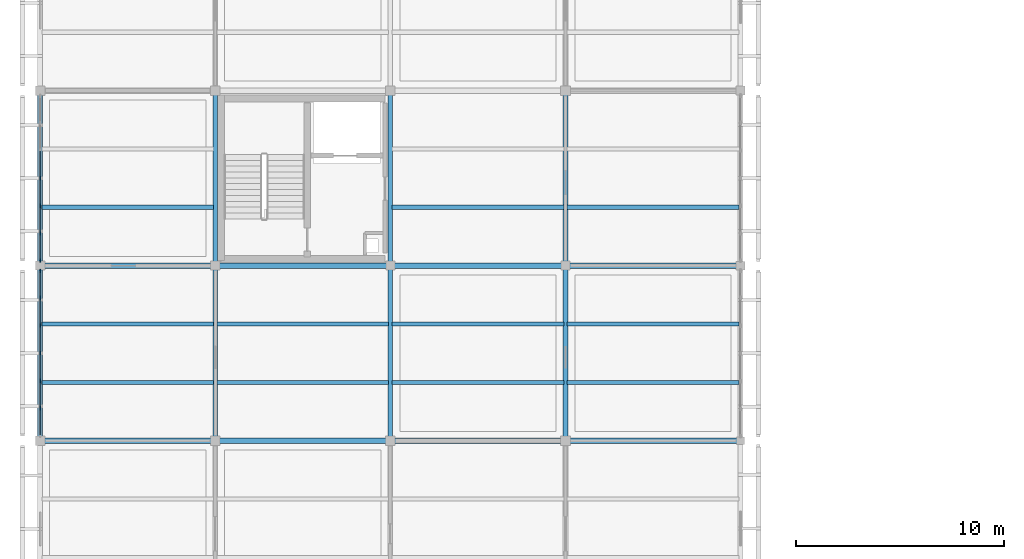
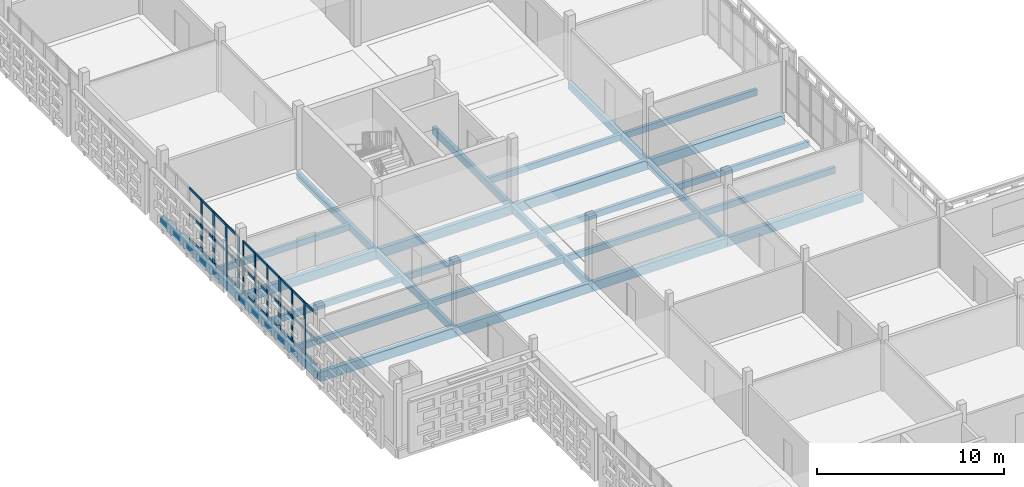
# One storey, part 20 of 140: 40 members, 27 beams, 2 elements without a shape of their own.
"""IFC4 building model written with IfcOpenShell, lengths in metres."""

from ifc_helpers import new_model, si_unit, direction, frame, origin, origin_2d, place, context, subcontext, project, spatial, rectangle, extrude, material, layer, layer_set, material_profile, profile_set, type_object, element, aggregate, save


model = new_model("IFC4")

# Units and contexts
model_context = context("Model", 3, precision=1e-05, world=origin(), true_north=direction((0.0, 1.0)))
body_context = subcontext(model_context, "Body", "Model", "MODEL_VIEW")
ifc_project = project(units=[si_unit("LENGTHUNIT", "METRE"), si_unit("AREAUNIT", "SQUARE_METRE"), si_unit("VOLUMEUNIT", "CUBIC_METRE"), si_unit("PLANEANGLEUNIT", "RADIAN"), si_unit("MASSUNIT", "GRAM", prefix="KILO")], contexts=[model_context])

# Site, building, storey
site_placement = place(None, origin())
site = spatial("IfcSite", under=ifc_project, at=site_placement, CompositionType="ELEMENT")
building_placement = place(site_placement, origin())
building = spatial("IfcBuilding", under=site, at=building_placement, Name="Varnapada Polytechnic", CompositionType="ELEMENT")
storey_placement = place(building_placement, frame((0.0, 0.0, 13.800048828125)))
storey = spatial("IfcBuildingStorey", under=building, at=storey_placement, Name="L03", CompositionType="ELEMENT", Elevation=13.800048828125)

# Beams
ifc_material_1 = material(Name="Glulam GL32h", Category="wood")
ifc_material_profile_1 = material_profile(ifc_material_1, rectangle(XDim=0.199951171875, YDim=0.39990234375, at=origin_2d()), Name="GL 200x400")
ifc_profile_set_1 = profile_set([ifc_material_profile_1], Name="Glulam GL32h")
beam_type_1 = type_object("IfcBeamType", Name="Library/laboratory glulam floor joist GJ-01 (GL 200x400)", PredefinedType="JOIST", material=ifc_profile_set_1)
for number, where, z_axis, x_axis, name in (
    (1, (0.080078125, 53.199951171875, -0.43994140625), (1.0, 0.0, 0.0), (0.0, 1.0, 0.0), "L03 floor joist 1/7.1"),
    (2, (0.080078125, 56.0, -0.43994140625), (1.0, 0.0, 0.0), (0.0, 1.0, 0.0), "L03 floor joist 1/7.2"),
    (3, (0.080078125, 61.60009765625, -0.43994140625), (1.0, 0.0, 0.0), (0.0, 1.0, 0.0), "L03 floor joist 1/8.1"),
    (4, (8.47998046875, 53.199951171875, -0.43994140625), (1.0, 0.0, 0.0), (0.0, 1.0, 0.0), "L03 floor joist 2/7.1"),
    (5, (8.47998046875, 56.0, -0.43994140625), (1.0, 0.0, 0.0), (0.0, 1.0, 0.0), "L03 floor joist 2/7.2"),
):
    element("IfcBeam", number, at=place(storey_placement, frame(where, z_axis=z_axis, x_axis=x_axis)), inside=storey, type_object=beam_type_1, Name=name, PredefinedType="JOIST", context=body_context, shape_type="SweptSolid", body=[
        extrude(rectangle(XDim=0.199951171875, YDim=0.39990234375, at=origin_2d()), origin(), (0.0, 0.0, 1.0), 8.239990234375),
    ])
for number, where, z_axis, x_axis, name in (
    (6, (16.8798828125, 53.199951171875, -0.43994140625), (1.0, 0.0, 0.0), (0.0, 1.0, 0.0), "L03 floor joist 3/7.1"),
    (7, (16.8798828125, 56.0, -0.43994140625), (1.0, 0.0, 0.0), (0.0, 1.0, 0.0), "L03 floor joist 3/7.2"),
    (8, (16.8798828125, 61.60009765625, -0.43994140625), (1.0, 0.0, 0.0), (0.0, 1.0, 0.0), "L03 floor joist 3/8.1"),
):
    element("IfcBeam", number, at=place(storey_placement, frame(where, z_axis=z_axis, x_axis=x_axis)), inside=storey, type_object=beam_type_1, Name=name, PredefinedType="JOIST", context=body_context, shape_type="SweptSolid", body=[
        extrude(rectangle(XDim=0.199951171875, YDim=0.39990234375, at=origin_2d()), origin(), (0.0, 0.0, 1.0), 8.240234375),
    ])
for number, where, z_axis, x_axis, name in (
    (9, (25.280029296875, 53.199951171875, -0.43994140625), (1.0, 0.0, 0.0), (0.0, 1.0, 0.0), "L03 floor joist 4/7.1"),
    (10, (25.280029296875, 56.0, -0.43994140625), (1.0, 0.0, 0.0), (0.0, 1.0, 0.0), "L03 floor joist 4/7.2"),
    (11, (25.280029296875, 61.60009765625, -0.43994140625), (1.0, 0.0, 0.0), (0.0, 1.0, 0.0), "L03 floor joist 4/8.1"),
):
    element("IfcBeam", number, at=place(storey_placement, frame(where, z_axis=z_axis, x_axis=x_axis)), inside=storey, type_object=beam_type_1, Name=name, PredefinedType="JOIST", context=body_context, shape_type="SweptSolid", body=[
        extrude(rectangle(XDim=0.199951171875, YDim=0.39990234375, at=origin_2d()), origin(), (0.0, 0.0, 1.0), 8.239990234375),
    ])

# Curtain wall, members
ifc_material_2 = material(Name="Double low-E laminated glass", Category="glass")
ifc_layer = layer(ifc_material_2, 0.179931640625)
ifc_layer_set = layer_set([ifc_layer], Name="Double low-E laminated glass")
curtain_wall_type = type_object("IfcCurtainWallType", Name="Curtain Wall CW-03", PredefinedType="NOTDEFINED", material=ifc_layer_set)
curtain_wall_1_placement = place(storey_placement, origin())
curtain_wall_1 = element("IfcCurtainWall", 12, at=curtain_wall_1_placement, inside=storey, type_object=curtain_wall_type, Name="L03 unitised curtain wall CW-03 (205)", PredefinedType="NOTDEFINED")
ifc_material_3 = material(Name="Anodised aluminium", Category="aluminium")
ifc_material_profile_2 = material_profile(ifc_material_3, rectangle(XDim=0.06494140625, YDim=0.179931640625, at=origin_2d()), Name="ALU M65x180")
ifc_profile_set_2 = profile_set([ifc_material_profile_2], Name="Anodised aluminium")
member_type_1 = type_object("IfcMemberType", Name="Mullion M-02", PredefinedType="MULLION", material=ifc_profile_set_2)
member_1_placement = place(storey_placement, frame((0.0, 51.955078125, 0.0), z_axis=(0.0, 0.0, 1.0), x_axis=(-1.0, 0.0, 0.0)))
member_1 = element("IfcMember", 13, at=member_1_placement, type_object=member_type_1, Name="CW-03 mullion 2", PredefinedType="MULLION", context=body_context, shape_type="SweptSolid", body=[
    extrude(rectangle(XDim=0.06494140625, YDim=0.179931640625, at=origin_2d()), origin(), (0.0, 0.0, 1.0), 3.35986328125),
])
member_2_placement = place(storey_placement, frame((0.0, 53.280029296875, 0.0), z_axis=(0.0, 0.0, 1.0), x_axis=(-1.0, 0.0, 0.0)))
member_2 = element("IfcMember", 14, at=member_2_placement, type_object=member_type_1, Name="CW-03 mullion 3", PredefinedType="MULLION", context=body_context, shape_type="SweptSolid", body=[
    extrude(rectangle(XDim=0.06494140625, YDim=0.179931640625, at=origin_2d()), origin(), (0.0, 0.0, 1.0), 3.35986328125),
])
member_3_placement = place(storey_placement, frame((0.0, 54.60498046875, 0.0), z_axis=(0.0, 0.0, 1.0), x_axis=(-1.0, 0.0, 0.0)))
member_3 = element("IfcMember", 15, at=member_3_placement, type_object=member_type_1, Name="CW-03 mullion 4", PredefinedType="MULLION", context=body_context, shape_type="SweptSolid", body=[
    extrude(rectangle(XDim=0.06494140625, YDim=0.179931640625, at=origin_2d()), origin(), (0.0, 0.0, 1.0), 3.35986328125),
])
member_4_placement = place(storey_placement, frame((0.0, 55.929931640625, 0.0), z_axis=(0.0, 0.0, 1.0), x_axis=(-1.0, 0.0, 0.0)))
member_4 = element("IfcMember", 16, at=member_4_placement, type_object=member_type_1, Name="CW-03 mullion 5", PredefinedType="MULLION", context=body_context, shape_type="SweptSolid", body=[
    extrude(rectangle(XDim=0.06494140625, YDim=0.179931640625, at=origin_2d()), origin(), (0.0, 0.0, 1.0), 3.35986328125),
])
member_5_placement = place(storey_placement, frame((0.0, 57.2548828125, 0.0), z_axis=(0.0, 0.0, 1.0), x_axis=(-1.0, 0.0, 0.0)))
member_5 = element("IfcMember", 17, at=member_5_placement, type_object=member_type_1, Name="CW-03 mullion 6", PredefinedType="MULLION", context=body_context, shape_type="SweptSolid", body=[
    extrude(rectangle(XDim=0.06494140625, YDim=0.179931640625, at=origin_2d()), origin(), (0.0, 0.0, 1.0), 3.35986328125),
])
member_6_placement = place(storey_placement, frame((0.0, 58.547607421875, 0.0), z_axis=(0.0, 0.0, 1.0), x_axis=(-1.0, 0.0, 0.0)))
member_6 = element("IfcMember", 18, at=member_6_placement, type_object=member_type_1, Name="CW-03 mullion 7", PredefinedType="MULLION", context=body_context, shape_type="SweptSolid", body=[
    extrude(rectangle(XDim=0.06494140625, YDim=0.179931640625, at=origin_2d()), origin(), (0.0, 0.0, 1.0), 3.35986328125),
])

curtain_wall_2_placement = place(storey_placement, origin())
curtain_wall_2 = element("IfcCurtainWall", 19, at=curtain_wall_2_placement, inside=storey, type_object=curtain_wall_type, Name="L03 unitised curtain wall CW-03 (206)", PredefinedType="NOTDEFINED")
member_7_placement = place(storey_placement, frame((0.0, 59.052490234375, 0.0), z_axis=(0.0, 0.0, 1.0), x_axis=(-1.0, 0.0, 0.0)))
member_7 = element("IfcMember", 20, at=member_7_placement, type_object=member_type_1, Name="CW-03 mullion 1", PredefinedType="MULLION", context=body_context, shape_type="SweptSolid", body=[
    extrude(rectangle(XDim=0.06494140625, YDim=0.179931640625, at=origin_2d()), origin(), (0.0, 0.0, 1.0), 3.35986328125),
])
member_8_placement = place(storey_placement, frame((0.0, 60.344970703125, 0.0), z_axis=(0.0, 0.0, 1.0), x_axis=(-1.0, 0.0, 0.0)))
member_8 = element("IfcMember", 21, at=member_8_placement, type_object=member_type_1, Name="CW-03 mullion 2", PredefinedType="MULLION", context=body_context, shape_type="SweptSolid", body=[
    extrude(rectangle(XDim=0.06494140625, YDim=0.179931640625, at=origin_2d()), origin(), (0.0, 0.0, 1.0), 3.35986328125),
])
member_9_placement = place(storey_placement, frame((0.0, 61.669921875, 0.0), z_axis=(0.0, 0.0, 1.0), x_axis=(-1.0, 0.0, 0.0)))
member_9 = element("IfcMember", 22, at=member_9_placement, type_object=member_type_1, Name="CW-03 mullion 3", PredefinedType="MULLION", context=body_context, shape_type="SweptSolid", body=[
    extrude(rectangle(XDim=0.06494140625, YDim=0.179931640625, at=origin_2d()), origin(), (0.0, 0.0, 1.0), 3.35986328125),
])
member_10_placement = place(storey_placement, frame((0.0, 62.9951171875, 0.0), z_axis=(0.0, 0.0, 1.0), x_axis=(-1.0, 0.0, 0.0)))
member_10 = element("IfcMember", 23, at=member_10_placement, type_object=member_type_1, Name="CW-03 mullion 4", PredefinedType="MULLION", context=body_context, shape_type="SweptSolid", body=[
    extrude(rectangle(XDim=0.06494140625, YDim=0.179931640625, at=origin_2d()), origin(), (0.0, 0.0, 1.0), 3.35986328125),
])

# Beams
ifc_material_profile_3 = material_profile(ifc_material_1, rectangle(XDim=0.239990234375, YDim=0.56005859375, at=origin_2d()), Name="GL 240x560")
ifc_profile_set_3 = profile_set([ifc_material_profile_3], Name="Glulam GL32h")
beam_type_2 = type_object("IfcBeamType", Name="Perimeter glulam spandrel beam SP-02 (GL 240x560)", PredefinedType="SPANDREL", material=ifc_profile_set_3)
beam_1_placement = place(storey_placement, frame((0.0, 50.39990234375, -0.52001953125), z_axis=(0.0, 1.0, 0.0), x_axis=(-1.0, 0.0, 0.0)))
element("IfcBeam", 24, at=beam_1_placement, inside=storey, type_object=beam_type_2, Name="L03 beam Y 7-8 at X1", PredefinedType="SPANDREL", context=body_context, shape_type="SweptSolid", body=[
    extrude(rectangle(XDim=0.239990234375, YDim=0.56005859375, at=origin_2d()), origin(), (0.0, 0.0, 1.0), 8.400146484375),
])
beam_2_placement = place(storey_placement, frame((0.0, 58.800048828125, -0.52001953125), z_axis=(0.0, 1.0, 0.0), x_axis=(-1.0, 0.0, 0.0)))
element("IfcBeam", 25, at=beam_2_placement, inside=storey, type_object=beam_type_2, Name="L03 beam Y 8-9 at X1", PredefinedType="SPANDREL", context=body_context, shape_type="SweptSolid", body=[
    extrude(rectangle(XDim=0.239990234375, YDim=0.56005859375, at=origin_2d()), origin(), (0.0, 0.0, 1.0), 8.39990234375),
])
ifc_material_profile_4 = material_profile(ifc_material_1, rectangle(XDim=0.260009765625, YDim=0.60009765625, at=origin_2d()), Name="GL 260x600")
ifc_profile_set_4 = profile_set([ifc_material_profile_4], Name="Glulam GL32h")
beam_type_3 = type_object("IfcBeamType", Name="Seminar wing glulam girder GG-05 (GL 260x600)", PredefinedType="BEAM", material=ifc_profile_set_4)
for number, where, z_axis, x_axis, name in (
    (26, (0.0, 50.39990234375, -0.5400390625), (1.0, 0.0, 0.0), (0.0, 1.0, 0.0), "L03 beam X 1-2 at Y7"),
    (27, (0.0, 58.800048828125, -0.5400390625), (1.0, 0.0, 0.0), (0.0, 1.0, 0.0), "L03 beam X 1-2 at Y8"),
):
    element("IfcBeam", number, at=place(storey_placement, frame(where, z_axis=z_axis, x_axis=x_axis)), inside=storey, type_object=beam_type_3, Name=name, PredefinedType="BEAM", context=body_context, shape_type="SweptSolid", body=[
        extrude(rectangle(XDim=0.260009765625, YDim=0.60009765625, at=origin_2d()), origin(), (0.0, 0.0, 1.0), 8.39990234375),
    ])
for number, where, z_axis, x_axis, name in (
    (28, (8.39990234375, 50.39990234375, -0.5400390625), (1.0, 0.0, 0.0), (0.0, 1.0, 0.0), "L03 beam X 2-3 at Y7"),
    (29, (8.39990234375, 58.800048828125, -0.5400390625), (1.0, 0.0, 0.0), (0.0, 1.0, 0.0), "L03 beam X 2-3 at Y8"),
):
    element("IfcBeam", number, at=place(storey_placement, frame(where, z_axis=z_axis, x_axis=x_axis)), inside=storey, type_object=beam_type_3, Name=name, PredefinedType="BEAM", context=body_context, shape_type="SweptSolid", body=[
        extrude(rectangle(XDim=0.260009765625, YDim=0.60009765625, at=origin_2d()), origin(), (0.0, 0.0, 1.0), 8.400146484375),
    ])
for number, where, z_axis, x_axis, name in (
    (30, (16.800048828125, 50.39990234375, -0.5400390625), (1.0, 0.0, 0.0), (0.0, 1.0, 0.0), "L03 beam X 3-4 at Y7"),
    (31, (16.800048828125, 58.800048828125, -0.5400390625), (1.0, 0.0, 0.0), (0.0, 1.0, 0.0), "L03 beam X 3-4 at Y8"),
):
    element("IfcBeam", number, at=place(storey_placement, frame(where, z_axis=z_axis, x_axis=x_axis)), inside=storey, type_object=beam_type_3, Name=name, PredefinedType="BEAM", context=body_context, shape_type="SweptSolid", body=[
        extrude(rectangle(XDim=0.260009765625, YDim=0.60009765625, at=origin_2d()), origin(), (0.0, 0.0, 1.0), 8.39990234375),
    ])
for number, where, z_axis, x_axis, name in (
    (32, (25.199951171875, 50.39990234375, -0.5400390625), (1.0, 0.0, 0.0), (0.0, 1.0, 0.0), "L03 beam X 4-5 at Y7"),
    (33, (25.199951171875, 58.800048828125, -0.5400390625), (1.0, 0.0, 0.0), (0.0, 1.0, 0.0), "L03 beam X 4-5 at Y8"),
):
    element("IfcBeam", number, at=place(storey_placement, frame(where, z_axis=z_axis, x_axis=x_axis)), inside=storey, type_object=beam_type_3, Name=name, PredefinedType="BEAM", context=body_context, shape_type="SweptSolid", body=[
        extrude(rectangle(XDim=0.260009765625, YDim=0.60009765625, at=origin_2d()), origin(), (0.0, 0.0, 1.0), 8.400146484375),
    ])

# Member
ifc_material_profile_5 = material_profile(ifc_material_3, rectangle(XDim=0.06494140625, YDim=0.139892578125, at=origin_2d()), Name="ALU T65x140")
ifc_profile_set_5 = profile_set([ifc_material_profile_5], Name="Anodised aluminium")
member_type_2 = type_object("IfcMemberType", Name="Transom T-02", PredefinedType="USERDEFINED", material=ifc_profile_set_5)
member_11_placement = place(storey_placement, frame((0.0, 50.695068359375, 0.032470703125), z_axis=(0.0, 1.0, 0.0), x_axis=(-1.0, 0.0, 0.0)))
member_11 = element("IfcMember", 34, at=member_11_placement, type_object=member_type_2, Name="CW-03 transom 1.1", ObjectType="TRANSOM", PredefinedType="USERDEFINED", context=body_context, shape_type="SweptSolid", body=[
    extrude(rectangle(XDim=0.06494140625, YDim=0.139892578125, at=origin_2d()), origin(), (0.0, 0.0, 1.0), 1.2275390625),
])

member_12_placement = place(storey_placement, frame((0.0, 50.695068359375, 1.61279296875), z_axis=(0.0, 1.0, 0.0), x_axis=(-1.0, 0.0, 0.0)))
member_12 = element("IfcMember", 35, at=member_12_placement, type_object=member_type_2, Name="CW-03 transom 1.2", ObjectType="TRANSOM", PredefinedType="USERDEFINED", context=body_context, shape_type="SweptSolid", body=[
    extrude(rectangle(XDim=0.06494140625, YDim=0.139892578125, at=origin_2d()), origin(), (0.0, 0.0, 1.0), 1.2275390625),
])

member_13_placement = place(storey_placement, frame((0.0, 50.695068359375, 3.327392578125), z_axis=(0.0, 1.0, 0.0), x_axis=(-1.0, 0.0, 0.0)))
member_13 = element("IfcMember", 36, at=member_13_placement, type_object=member_type_2, Name="CW-03 transom 1.3", ObjectType="TRANSOM", PredefinedType="USERDEFINED", context=body_context, shape_type="SweptSolid", body=[
    extrude(rectangle(XDim=0.06494140625, YDim=0.139892578125, at=origin_2d()), origin(), (0.0, 0.0, 1.0), 1.2275390625),
])

member_14_placement = place(storey_placement, frame((0.0, 51.987548828125, 0.032470703125), z_axis=(0.0, 1.0, 0.0), x_axis=(-1.0, 0.0, 0.0)))
member_14 = element("IfcMember", 37, at=member_14_placement, type_object=member_type_2, Name="CW-03 transom 2.1", ObjectType="TRANSOM", PredefinedType="USERDEFINED", context=body_context, shape_type="SweptSolid", body=[
    extrude(rectangle(XDim=0.06494140625, YDim=0.139892578125, at=origin_2d()), origin(), (0.0, 0.0, 1.0), 1.260009765625),
])

member_15_placement = place(storey_placement, frame((0.0, 51.987548828125, 1.61279296875), z_axis=(0.0, 1.0, 0.0), x_axis=(-1.0, 0.0, 0.0)))
member_15 = element("IfcMember", 38, at=member_15_placement, type_object=member_type_2, Name="CW-03 transom 2.2", ObjectType="TRANSOM", PredefinedType="USERDEFINED", context=body_context, shape_type="SweptSolid", body=[
    extrude(rectangle(XDim=0.06494140625, YDim=0.139892578125, at=origin_2d()), origin(), (0.0, 0.0, 1.0), 1.260009765625),
])

member_16_placement = place(storey_placement, frame((0.0, 51.987548828125, 3.327392578125), z_axis=(0.0, 1.0, 0.0), x_axis=(-1.0, 0.0, 0.0)))
member_16 = element("IfcMember", 39, at=member_16_placement, type_object=member_type_2, Name="CW-03 transom 2.3", ObjectType="TRANSOM", PredefinedType="USERDEFINED", context=body_context, shape_type="SweptSolid", body=[
    extrude(rectangle(XDim=0.06494140625, YDim=0.139892578125, at=origin_2d()), origin(), (0.0, 0.0, 1.0), 1.260009765625),
])

member_17_placement = place(storey_placement, frame((0.0, 53.3125, 0.032470703125), z_axis=(0.0, 1.0, 0.0), x_axis=(-1.0, 0.0, 0.0)))
member_17 = element("IfcMember", 40, at=member_17_placement, type_object=member_type_2, Name="CW-03 transom 3.1", ObjectType="TRANSOM", PredefinedType="USERDEFINED", context=body_context, shape_type="SweptSolid", body=[
    extrude(rectangle(XDim=0.06494140625, YDim=0.139892578125, at=origin_2d()), origin(), (0.0, 0.0, 1.0), 1.260009765625),
])

member_18_placement = place(storey_placement, frame((0.0, 53.3125, 1.61279296875), z_axis=(0.0, 1.0, 0.0), x_axis=(-1.0, 0.0, 0.0)))
member_18 = element("IfcMember", 41, at=member_18_placement, type_object=member_type_2, Name="CW-03 transom 3.2", ObjectType="TRANSOM", PredefinedType="USERDEFINED", context=body_context, shape_type="SweptSolid", body=[
    extrude(rectangle(XDim=0.06494140625, YDim=0.139892578125, at=origin_2d()), origin(), (0.0, 0.0, 1.0), 1.260009765625),
])

member_19_placement = place(storey_placement, frame((0.0, 53.3125, 3.327392578125), z_axis=(0.0, 1.0, 0.0), x_axis=(-1.0, 0.0, 0.0)))
member_19 = element("IfcMember", 42, at=member_19_placement, type_object=member_type_2, Name="CW-03 transom 3.3", ObjectType="TRANSOM", PredefinedType="USERDEFINED", context=body_context, shape_type="SweptSolid", body=[
    extrude(rectangle(XDim=0.06494140625, YDim=0.139892578125, at=origin_2d()), origin(), (0.0, 0.0, 1.0), 1.260009765625),
])

member_20_placement = place(storey_placement, frame((0.0, 54.637451171875, 0.032470703125), z_axis=(0.0, 1.0, 0.0), x_axis=(-1.0, 0.0, 0.0)))
member_20 = element("IfcMember", 43, at=member_20_placement, type_object=member_type_2, Name="CW-03 transom 4.1", ObjectType="TRANSOM", PredefinedType="USERDEFINED", context=body_context, shape_type="SweptSolid", body=[
    extrude(rectangle(XDim=0.06494140625, YDim=0.139892578125, at=origin_2d()), origin(), (0.0, 0.0, 1.0), 1.260009765625),
])

member_21_placement = place(storey_placement, frame((0.0, 54.637451171875, 1.61279296875), z_axis=(0.0, 1.0, 0.0), x_axis=(-1.0, 0.0, 0.0)))
member_21 = element("IfcMember", 44, at=member_21_placement, type_object=member_type_2, Name="CW-03 transom 4.2", ObjectType="TRANSOM", PredefinedType="USERDEFINED", context=body_context, shape_type="SweptSolid", body=[
    extrude(rectangle(XDim=0.06494140625, YDim=0.139892578125, at=origin_2d()), origin(), (0.0, 0.0, 1.0), 1.260009765625),
])

member_22_placement = place(storey_placement, frame((0.0, 54.637451171875, 3.327392578125), z_axis=(0.0, 1.0, 0.0), x_axis=(-1.0, 0.0, 0.0)))
member_22 = element("IfcMember", 45, at=member_22_placement, type_object=member_type_2, Name="CW-03 transom 4.3", ObjectType="TRANSOM", PredefinedType="USERDEFINED", context=body_context, shape_type="SweptSolid", body=[
    extrude(rectangle(XDim=0.06494140625, YDim=0.139892578125, at=origin_2d()), origin(), (0.0, 0.0, 1.0), 1.260009765625),
])

member_23_placement = place(storey_placement, frame((0.0, 55.96240234375, 0.032470703125), z_axis=(0.0, 1.0, 0.0), x_axis=(-1.0, 0.0, 0.0)))
member_23 = element("IfcMember", 46, at=member_23_placement, type_object=member_type_2, Name="CW-03 transom 5.1", ObjectType="TRANSOM", PredefinedType="USERDEFINED", context=body_context, shape_type="SweptSolid", body=[
    extrude(rectangle(XDim=0.06494140625, YDim=0.139892578125, at=origin_2d()), origin(), (0.0, 0.0, 1.0), 1.260009765625),
])

member_24_placement = place(storey_placement, frame((0.0, 55.96240234375, 1.61279296875), z_axis=(0.0, 1.0, 0.0), x_axis=(-1.0, 0.0, 0.0)))
member_24 = element("IfcMember", 47, at=member_24_placement, type_object=member_type_2, Name="CW-03 transom 5.2", ObjectType="TRANSOM", PredefinedType="USERDEFINED", context=body_context, shape_type="SweptSolid", body=[
    extrude(rectangle(XDim=0.06494140625, YDim=0.139892578125, at=origin_2d()), origin(), (0.0, 0.0, 1.0), 1.260009765625),
])

member_25_placement = place(storey_placement, frame((0.0, 55.96240234375, 3.327392578125), z_axis=(0.0, 1.0, 0.0), x_axis=(-1.0, 0.0, 0.0)))
member_25 = element("IfcMember", 48, at=member_25_placement, type_object=member_type_2, Name="CW-03 transom 5.3", ObjectType="TRANSOM", PredefinedType="USERDEFINED", context=body_context, shape_type="SweptSolid", body=[
    extrude(rectangle(XDim=0.06494140625, YDim=0.139892578125, at=origin_2d()), origin(), (0.0, 0.0, 1.0), 1.260009765625),
])

member_26_placement = place(storey_placement, frame((0.0, 57.28759765625, 0.032470703125), z_axis=(0.0, 1.0, 0.0), x_axis=(-1.0, 0.0, 0.0)))
member_26 = element("IfcMember", 49, at=member_26_placement, type_object=member_type_2, Name="CW-03 transom 6.1", ObjectType="TRANSOM", PredefinedType="USERDEFINED", context=body_context, shape_type="SweptSolid", body=[
    extrude(rectangle(XDim=0.06494140625, YDim=0.139892578125, at=origin_2d()), origin(), (0.0, 0.0, 1.0), 1.227294921875),
])

member_27_placement = place(storey_placement, frame((0.0, 57.28759765625, 1.61279296875), z_axis=(0.0, 1.0, 0.0), x_axis=(-1.0, 0.0, 0.0)))
member_27 = element("IfcMember", 50, at=member_27_placement, type_object=member_type_2, Name="CW-03 transom 6.2", ObjectType="TRANSOM", PredefinedType="USERDEFINED", context=body_context, shape_type="SweptSolid", body=[
    extrude(rectangle(XDim=0.06494140625, YDim=0.139892578125, at=origin_2d()), origin(), (0.0, 0.0, 1.0), 1.227294921875),
])

member_28_placement = place(storey_placement, frame((0.0, 57.28759765625, 3.327392578125), z_axis=(0.0, 1.0, 0.0), x_axis=(-1.0, 0.0, 0.0)))
member_28 = element("IfcMember", 51, at=member_28_placement, type_object=member_type_2, Name="CW-03 transom 6.3", ObjectType="TRANSOM", PredefinedType="USERDEFINED", context=body_context, shape_type="SweptSolid", body=[
    extrude(rectangle(XDim=0.06494140625, YDim=0.139892578125, at=origin_2d()), origin(), (0.0, 0.0, 1.0), 1.227294921875),
])

aggregate(curtain_wall_1, [member_1, member_2, member_3, member_4, member_5, member_6, member_11, member_12, member_13, member_14, member_15, member_16, member_17, member_18, member_19, member_20, member_21, member_22, member_23, member_24, member_25, member_26, member_27, member_28])

member_29_placement = place(storey_placement, frame((0.0, 59.0849609375, 0.032470703125), z_axis=(0.0, 1.0, 0.0), x_axis=(-1.0, 0.0, 0.0)))
member_29 = element("IfcMember", 52, at=member_29_placement, type_object=member_type_2, Name="CW-03 transom 1.1", ObjectType="TRANSOM", PredefinedType="USERDEFINED", context=body_context, shape_type="SweptSolid", body=[
    extrude(rectangle(XDim=0.06494140625, YDim=0.139892578125, at=origin_2d()), origin(), (0.0, 0.0, 1.0), 1.2275390625),
])

member_30_placement = place(storey_placement, frame((0.0, 59.0849609375, 1.61279296875), z_axis=(0.0, 1.0, 0.0), x_axis=(-1.0, 0.0, 0.0)))
member_30 = element("IfcMember", 53, at=member_30_placement, type_object=member_type_2, Name="CW-03 transom 1.2", ObjectType="TRANSOM", PredefinedType="USERDEFINED", context=body_context, shape_type="SweptSolid", body=[
    extrude(rectangle(XDim=0.06494140625, YDim=0.139892578125, at=origin_2d()), origin(), (0.0, 0.0, 1.0), 1.2275390625),
])

member_31_placement = place(storey_placement, frame((0.0, 59.0849609375, 3.327392578125), z_axis=(0.0, 1.0, 0.0), x_axis=(-1.0, 0.0, 0.0)))
member_31 = element("IfcMember", 54, at=member_31_placement, type_object=member_type_2, Name="CW-03 transom 1.3", ObjectType="TRANSOM", PredefinedType="USERDEFINED", context=body_context, shape_type="SweptSolid", body=[
    extrude(rectangle(XDim=0.06494140625, YDim=0.139892578125, at=origin_2d()), origin(), (0.0, 0.0, 1.0), 1.2275390625),
])

member_32_placement = place(storey_placement, frame((0.0, 60.37744140625, 0.032470703125), z_axis=(0.0, 1.0, 0.0), x_axis=(-1.0, 0.0, 0.0)))
member_32 = element("IfcMember", 55, at=member_32_placement, type_object=member_type_2, Name="CW-03 transom 2.1", ObjectType="TRANSOM", PredefinedType="USERDEFINED", context=body_context, shape_type="SweptSolid", body=[
    extrude(rectangle(XDim=0.06494140625, YDim=0.139892578125, at=origin_2d()), origin(), (0.0, 0.0, 1.0), 1.260009765625),
])

member_33_placement = place(storey_placement, frame((0.0, 60.37744140625, 1.61279296875), z_axis=(0.0, 1.0, 0.0), x_axis=(-1.0, 0.0, 0.0)))
member_33 = element("IfcMember", 56, at=member_33_placement, type_object=member_type_2, Name="CW-03 transom 2.2", ObjectType="TRANSOM", PredefinedType="USERDEFINED", context=body_context, shape_type="SweptSolid", body=[
    extrude(rectangle(XDim=0.06494140625, YDim=0.139892578125, at=origin_2d()), origin(), (0.0, 0.0, 1.0), 1.260009765625),
])

member_34_placement = place(storey_placement, frame((0.0, 60.37744140625, 3.327392578125), z_axis=(0.0, 1.0, 0.0), x_axis=(-1.0, 0.0, 0.0)))
member_34 = element("IfcMember", 57, at=member_34_placement, type_object=member_type_2, Name="CW-03 transom 2.3", ObjectType="TRANSOM", PredefinedType="USERDEFINED", context=body_context, shape_type="SweptSolid", body=[
    extrude(rectangle(XDim=0.06494140625, YDim=0.139892578125, at=origin_2d()), origin(), (0.0, 0.0, 1.0), 1.260009765625),
])

member_35_placement = place(storey_placement, frame((0.0, 61.702392578125, 0.032470703125), z_axis=(0.0, 1.0, 0.0), x_axis=(-1.0, 0.0, 0.0)))
member_35 = element("IfcMember", 58, at=member_35_placement, type_object=member_type_2, Name="CW-03 transom 3.1", ObjectType="TRANSOM", PredefinedType="USERDEFINED", context=body_context, shape_type="SweptSolid", body=[
    extrude(rectangle(XDim=0.06494140625, YDim=0.139892578125, at=origin_2d()), origin(), (0.0, 0.0, 1.0), 1.260009765625),
])

member_36_placement = place(storey_placement, frame((0.0, 61.702392578125, 1.61279296875), z_axis=(0.0, 1.0, 0.0), x_axis=(-1.0, 0.0, 0.0)))
member_36 = element("IfcMember", 59, at=member_36_placement, type_object=member_type_2, Name="CW-03 transom 3.2", ObjectType="TRANSOM", PredefinedType="USERDEFINED", context=body_context, shape_type="SweptSolid", body=[
    extrude(rectangle(XDim=0.06494140625, YDim=0.139892578125, at=origin_2d()), origin(), (0.0, 0.0, 1.0), 1.260009765625),
])

member_37_placement = place(storey_placement, frame((0.0, 61.702392578125, 3.327392578125), z_axis=(0.0, 1.0, 0.0), x_axis=(-1.0, 0.0, 0.0)))
member_37 = element("IfcMember", 60, at=member_37_placement, type_object=member_type_2, Name="CW-03 transom 3.3", ObjectType="TRANSOM", PredefinedType="USERDEFINED", context=body_context, shape_type="SweptSolid", body=[
    extrude(rectangle(XDim=0.06494140625, YDim=0.139892578125, at=origin_2d()), origin(), (0.0, 0.0, 1.0), 1.260009765625),
])

member_38_placement = place(storey_placement, frame((0.0, 63.027587890625, 0.032470703125), z_axis=(0.0, 1.0, 0.0), x_axis=(-1.0, 0.0, 0.0)))
member_38 = element("IfcMember", 61, at=member_38_placement, type_object=member_type_2, Name="CW-03 transom 4.1", ObjectType="TRANSOM", PredefinedType="USERDEFINED", context=body_context, shape_type="SweptSolid", body=[
    extrude(rectangle(XDim=0.06494140625, YDim=0.139892578125, at=origin_2d()), origin(), (0.0, 0.0, 1.0), 1.260009765625),
])

member_39_placement = place(storey_placement, frame((0.0, 63.027587890625, 1.61279296875), z_axis=(0.0, 1.0, 0.0), x_axis=(-1.0, 0.0, 0.0)))
member_39 = element("IfcMember", 62, at=member_39_placement, type_object=member_type_2, Name="CW-03 transom 4.2", ObjectType="TRANSOM", PredefinedType="USERDEFINED", context=body_context, shape_type="SweptSolid", body=[
    extrude(rectangle(XDim=0.06494140625, YDim=0.139892578125, at=origin_2d()), origin(), (0.0, 0.0, 1.0), 1.260009765625),
])

member_40_placement = place(storey_placement, frame((0.0, 63.027587890625, 3.327392578125), z_axis=(0.0, 1.0, 0.0), x_axis=(-1.0, 0.0, 0.0)))
member_40 = element("IfcMember", 63, at=member_40_placement, type_object=member_type_2, Name="CW-03 transom 4.3", ObjectType="TRANSOM", PredefinedType="USERDEFINED", context=body_context, shape_type="SweptSolid", body=[
    extrude(rectangle(XDim=0.06494140625, YDim=0.139892578125, at=origin_2d()), origin(), (0.0, 0.0, 1.0), 1.260009765625),
])

aggregate(curtain_wall_2, [member_7, member_8, member_9, member_10, member_29, member_30, member_31, member_32, member_33, member_34, member_35, member_36, member_37, member_38, member_39, member_40])

# Beams
ifc_material_profile_6 = material_profile(ifc_material_1, rectangle(XDim=0.219970703125, YDim=0.47998046875, at=origin_2d()), Name="GL 220x480")
ifc_profile_set_6 = profile_set([ifc_material_profile_6], Name="Glulam GL32h")
beam_type_4 = type_object("IfcBeamType", Name="Upper floor glulam tie beam GB-11 (GL 220x480)", PredefinedType="BEAM", material=ifc_profile_set_6)
beam_3_placement = place(storey_placement, frame((8.39990234375, 50.39990234375, -0.47998046875), z_axis=(0.0, 1.0, 0.0), x_axis=(-1.0, 0.0, 0.0)))
element("IfcBeam", 64, at=beam_3_placement, inside=storey, type_object=beam_type_4, Name="L03 beam Y 7-8 at X2", PredefinedType="BEAM", context=body_context, shape_type="SweptSolid", body=[
    extrude(rectangle(XDim=0.219970703125, YDim=0.47998046875, at=origin_2d()), origin(), (0.0, 0.0, 1.0), 8.400146484375),
])
beam_4_placement = place(storey_placement, frame((8.39990234375, 58.800048828125, -0.47998046875), z_axis=(0.0, 1.0, 0.0), x_axis=(-1.0, 0.0, 0.0)))
element("IfcBeam", 65, at=beam_4_placement, inside=storey, type_object=beam_type_4, Name="L03 beam Y 8-9 at X2", PredefinedType="BEAM", context=body_context, shape_type="SweptSolid", body=[
    extrude(rectangle(XDim=0.219970703125, YDim=0.47998046875, at=origin_2d()), origin(), (0.0, 0.0, 1.0), 8.39990234375),
])
beam_5_placement = place(storey_placement, frame((16.800048828125, 50.39990234375, -0.47998046875), z_axis=(0.0, 1.0, 0.0), x_axis=(-1.0, 0.0, 0.0)))
element("IfcBeam", 66, at=beam_5_placement, inside=storey, type_object=beam_type_4, Name="L03 beam Y 7-8 at X3", PredefinedType="BEAM", context=body_context, shape_type="SweptSolid", body=[
    extrude(rectangle(XDim=0.219970703125, YDim=0.47998046875, at=origin_2d()), origin(), (0.0, 0.0, 1.0), 8.400146484375),
])
beam_6_placement = place(storey_placement, frame((16.800048828125, 58.800048828125, -0.47998046875), z_axis=(0.0, 1.0, 0.0), x_axis=(-1.0, 0.0, 0.0)))
element("IfcBeam", 67, at=beam_6_placement, inside=storey, type_object=beam_type_4, Name="L03 beam Y 8-9 at X3", PredefinedType="BEAM", context=body_context, shape_type="SweptSolid", body=[
    extrude(rectangle(XDim=0.219970703125, YDim=0.47998046875, at=origin_2d()), origin(), (0.0, 0.0, 1.0), 8.39990234375),
])
beam_7_placement = place(storey_placement, frame((25.199951171875, 50.39990234375, -0.47998046875), z_axis=(0.0, 1.0, 0.0), x_axis=(-1.0, 0.0, 0.0)))
element("IfcBeam", 68, at=beam_7_placement, inside=storey, type_object=beam_type_4, Name="L03 beam Y 7-8 at X4", PredefinedType="BEAM", context=body_context, shape_type="SweptSolid", body=[
    extrude(rectangle(XDim=0.219970703125, YDim=0.47998046875, at=origin_2d()), origin(), (0.0, 0.0, 1.0), 8.400146484375),
])
beam_8_placement = place(storey_placement, frame((25.199951171875, 58.800048828125, -0.47998046875), z_axis=(0.0, 1.0, 0.0), x_axis=(-1.0, 0.0, 0.0)))
element("IfcBeam", 69, at=beam_8_placement, inside=storey, type_object=beam_type_4, Name="L03 beam Y 8-9 at X4", PredefinedType="BEAM", context=body_context, shape_type="SweptSolid", body=[
    extrude(rectangle(XDim=0.219970703125, YDim=0.47998046875, at=origin_2d()), origin(), (0.0, 0.0, 1.0), 8.39990234375),
])

save(model, "model.ifc")
